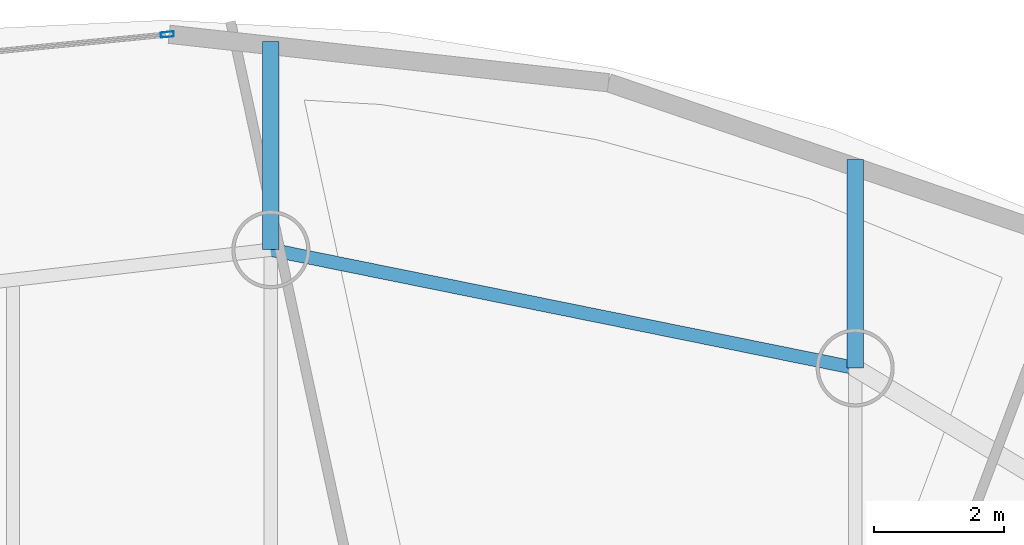
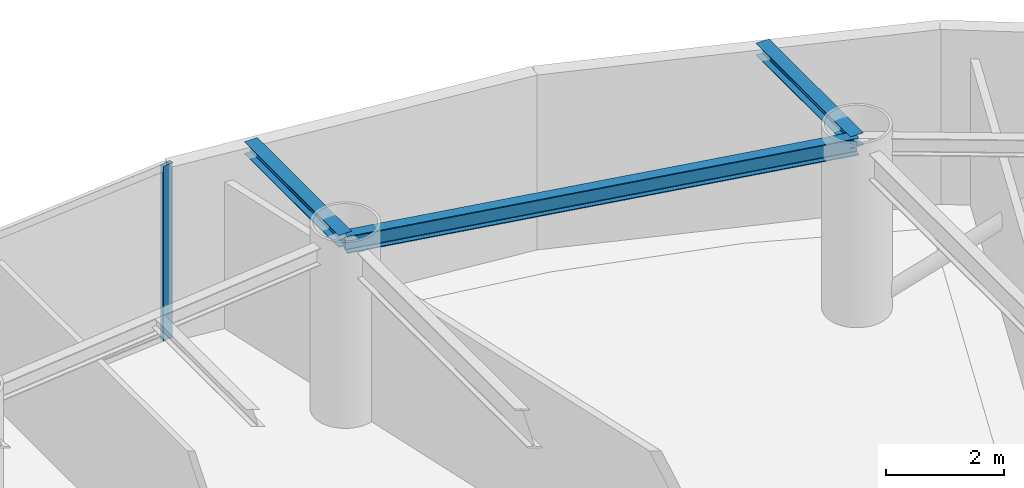
# One storey, part 14 of 23: 3 beams, 1 member, 1 element without a shape of its own.
"""IFC4 building model written with IfcOpenShell, lengths in metres."""

import ifcopenshell
import ifcopenshell.guid

model = None  # the IFC model being written
_history = None  # IfcOwnerHistory: only IFC2X3 demands one
_inside = {}  # id of a spatial element -> (the spatial element, [elements in it])
_under = {}  # id of a project, library or spatial element -> (it, [spatial elements below it])
_declared = {}  # id of a project -> (the project, [libraries it declares])
_typed = {}  # id of a type object -> (the type object, [elements of that type])
_made_of = {}  # id of a material, layer set ... -> (it, [elements and type objects made of it])


def new_model(schema):
    """Start an empty IFC model of exactly this schema.

    Asked for "IFC4X3", IfcOpenShell would pick the latest addendum, in which some entities
    have other attributes; the version numbers below select the first issue.
    IFC2X3 requires an IfcOwnerHistory on every rooted entity: one is made here for all.
    """
    global model, _history
    if schema == "IFC4X3":
        model = ifcopenshell.file(schema_version=(4, 3, 0, 0))
    else:
        model = ifcopenshell.file(schema=schema)
    _inside.clear()
    _under.clear()
    _declared.clear()
    _typed.clear()
    _made_of.clear()
    _history = None
    if model.schema == "IFC2X3":
        org = make("IfcOrganization", Name="unknown")
        user = make(
            "IfcPersonAndOrganization",
            ThePerson=make("IfcPerson", FamilyName="unknown"),
            TheOrganization=org,
        )
        app = make(
            "IfcApplication",
            ApplicationDeveloper=org,
            Version="unknown",
            ApplicationFullName="unknown",
            ApplicationIdentifier="unknown",
        )
        _history = make(
            "IfcOwnerHistory",
            OwningUser=user,
            OwningApplication=app,
            ChangeAction="ADDED",
            CreationDate=0,
        )
    return model


def make(cls, **values):
    """One entity of the class cls with the attributes given. An attribute that is None is left unset."""
    return model.create_entity(
        cls, **{name: value for name, value in values.items() if value is not None}
    )


def rooted(cls, **values):
    """An entity with a GlobalId (a new one), such as an element, a storey or a relation."""
    return make(cls, GlobalId=ifcopenshell.guid.new(), OwnerHistory=_history, **values)


def si_unit(unit_type, name, prefix=None):
    """IfcSIUnit, for example si_unit("LENGTHUNIT", "METRE", prefix="MILLI")."""
    return make("IfcSIUnit", UnitType=unit_type, Prefix=prefix, Name=name)


def assignment(units):
    """IfcUnitAssignment: the units of a project."""
    return None if units is None else make("IfcUnitAssignment", Units=units)


def point(xyz):
    """IfcCartesianPoint."""
    return None if xyz is None else make("IfcCartesianPoint", Coordinates=xyz)


def direction(xyz):
    """IfcDirection."""
    return None if xyz is None else make("IfcDirection", DirectionRatios=xyz)


def frame(location, z_axis=None, x_axis=None):
    """IfcAxis2Placement3D, a coordinate frame: its origin and axes. An axis left out is left unset."""
    return make(
        "IfcAxis2Placement3D",
        Location=point(location),
        Axis=direction(z_axis),
        RefDirection=direction(x_axis),
    )


def frame_2d(location, x_axis=None):
    """IfcAxis2Placement2D, a coordinate frame in the plane: its origin and x axis."""
    return make(
        "IfcAxis2Placement2D", Location=point(location), RefDirection=direction(x_axis)
    )


def origin():
    """The frame at (0, 0, 0) with its axes left unset."""
    return frame((0.0, 0.0, 0.0))


def origin_2d():
    """The frame at (0, 0) in the plane with its x axis left unset."""
    return frame_2d((0.0, 0.0))


def place(relative_to, where):
    """IfcLocalPlacement: puts the frame where relative to a parent placement (None: the world)."""
    return make(
        "IfcLocalPlacement", PlacementRelTo=relative_to, RelativePlacement=where
    )


def context(
    kind, dimensions, precision=None, world=None, true_north=None, identifier=None
):
    """IfcGeometricRepresentationContext, for example the 3D "Model" context."""
    return make(
        "IfcGeometricRepresentationContext",
        ContextIdentifier=identifier,
        ContextType=kind,
        CoordinateSpaceDimension=dimensions,
        Precision=precision,
        WorldCoordinateSystem=world,
        TrueNorth=true_north,
    )


def subcontext(parent, identifier, kind, view, scale=None):
    """IfcGeometricRepresentationSubContext, for example "Body" below "Model"."""
    return make(
        "IfcGeometricRepresentationSubContext",
        ContextIdentifier=identifier,
        ContextType=kind,
        ParentContext=parent,
        TargetScale=scale,
        TargetView=view,
    )


def project(units=None, contexts=None):
    """IfcProject with its units and contexts."""
    return rooted(
        "IfcProject",
        Name="project",
        RepresentationContexts=contexts,
        UnitsInContext=assignment(units),
    )


def spatial(cls, under=None, at=None, **own):
    """A site, building, storey or space (cls), placed at a placement, below another one or the project."""
    s = rooted(cls, ObjectPlacement=at, **own)
    if under is not None:
        _under.setdefault(under.id(), (under, []))[1].append(s)
    return s


def profile(cls, at=None, kind="AREA", **sizes):
    """A parametric profile (cls). Its sizes go by their IFC names, for example OverallWidth=200.0."""
    return make(cls, ProfileType=kind, Position=at, **sizes)


def hollow_rectangle(**sizes):
    """IfcRectangleHollowProfileDef."""
    return profile("IfcRectangleHollowProfileDef", **sizes)


def i_section(**sizes):
    """IfcIShapeProfileDef."""
    return profile("IfcIShapeProfileDef", **sizes)


def extrude(swept, where, along, depth):
    """IfcExtrudedAreaSolid: the profile swept, set in the frame where, extruded along a direction by depth."""
    return make(
        "IfcExtrudedAreaSolid",
        SweptArea=swept,
        Position=where,
        ExtrudedDirection=direction(along),
        Depth=depth,
    )


def shape(context_of_items, identifier, shape_type, items):
    """IfcShapeRepresentation: the items that make up one representation, for example the "Body"."""
    return make(
        "IfcShapeRepresentation",
        ContextOfItems=context_of_items,
        RepresentationIdentifier=identifier,
        RepresentationType=shape_type,
        Items=items,
    )


def material(Name=None, Category=None):
    """IfcMaterial."""
    return make("IfcMaterial", Name=Name, Category=Category)


def layer(
    of_material, thickness, ventilated=None, Name=None, Category=None, Priority=None
):
    """IfcMaterialLayer: one layer of a wall or slab, of a material (None: an air gap)."""
    return make(
        "IfcMaterialLayer",
        Material=of_material,
        LayerThickness=thickness,
        IsVentilated=ventilated,
        Name=Name,
        Category=Category,
        Priority=Priority,
    )


def layer_set(layers, Name=None):
    """IfcMaterialLayerSet."""
    return make("IfcMaterialLayerSet", MaterialLayers=layers, LayerSetName=Name)


def material_profile(
    of_material, cross_section, Name=None, Category=None, Priority=None
):
    """IfcMaterialProfile: a cross section and its material."""
    return make(
        "IfcMaterialProfile",
        Name=Name,
        Material=of_material,
        Profile=cross_section,
        Priority=Priority,
        Category=Category,
    )


def profile_set(profiles, Name=None, composite=None):
    """IfcMaterialProfileSet."""
    return make(
        "IfcMaterialProfileSet",
        Name=Name,
        MaterialProfiles=profiles,
        CompositeProfile=composite,
    )


def made_of(thing, what):
    """Note that an element or type object is made of a material, layer set ...; save() writes the relation."""
    if what is not None:
        _made_of.setdefault(what.id(), (what, []))[1].append(thing)
    return thing


def type_object(cls, material=None, **own):
    """A type object (cls), such as IfcWallType, which elements share."""
    return made_of(rooted(cls, **own), material)


def element(
    cls,
    number,
    at=None,
    inside=None,
    cuts=None,
    type_object=None,
    material=None,
    context=None,
    identifier="Body",
    shape_type=None,
    held_by="IfcProductDefinitionShape",
    body=None,
    shapes=None,
    **own,
):
    """One element of the class cls, such as IfcWall. Its Tag is "e" and its number.

    at: its placement. inside: the storey or other place that contains it. cuts: it is an
    opening in that element (IfcRelVoidsElement). A single representation is given by context,
    identifier, shape_type and body (its items); several are given by shapes. held_by: the class
    of the entity that holds the representations. save() writes the other relations.
    """
    e = rooted(cls, Tag="e%d" % number, ObjectPlacement=at, **own)
    if body is not None:
        shapes = [shape(context, identifier, shape_type, body)]
    if shapes is not None:
        e.Representation = make(held_by, Representations=shapes)
    if inside is not None:
        _inside.setdefault(inside.id(), (inside, []))[1].append(e)
    if cuts is not None:
        rooted(
            "IfcRelVoidsElement", RelatingBuildingElement=cuts, RelatedOpeningElement=e
        )
    if type_object is not None:
        _typed.setdefault(type_object.id(), (type_object, []))[1].append(e)
    return made_of(e, material)


def aggregate(whole, parts):
    """IfcRelAggregates: a whole, such as a stair, and the parts it consists of."""
    return rooted("IfcRelAggregates", RelatingObject=whole, RelatedObjects=parts)


def save(model, path):
    """Write the relations noted so far, then the file.

    IfcRelAggregates (storeys below a building ...), IfcRelContainedInSpatialStructure (elements
    in a storey), IfcRelDefinesByType, IfcRelAssociatesMaterial and IfcRelDeclares: one each for
    every whole, place, type object, material and project.
    """
    for whole, parts in _under.values():
        aggregate(whole, parts)
    for where, things in _inside.values():
        rooted(
            "IfcRelContainedInSpatialStructure",
            RelatedElements=things,
            RelatingStructure=where,
        )
    for kind, things in _typed.values():
        rooted("IfcRelDefinesByType", RelatedObjects=things, RelatingType=kind)
    for what, things in _made_of.values():
        rooted("IfcRelAssociatesMaterial", RelatedObjects=things, RelatingMaterial=what)
    for by, libraries in _declared.values():
        rooted("IfcRelDeclares", RelatingContext=by, RelatedDefinitions=libraries)
    model.write(path)


model = new_model("IFC4")

# Units and contexts
model_context = context("Model", 3, precision=1e-05, world=origin(), true_north=direction((0.0, 1.0)))
body_context = subcontext(model_context, "Body", "Model", "MODEL_VIEW")
ifc_project = project(units=[si_unit("LENGTHUNIT", "METRE"), si_unit("AREAUNIT", "SQUARE_METRE"), si_unit("VOLUMEUNIT", "CUBIC_METRE"), si_unit("PLANEANGLEUNIT", "RADIAN"), si_unit("MASSUNIT", "GRAM", prefix="KILO")], contexts=[model_context])

# Site, building, storey
site_placement = place(None, origin())
site = spatial("IfcSite", under=ifc_project, at=site_placement, CompositionType="ELEMENT")
building_placement = place(site_placement, origin())
building = spatial("IfcBuilding", under=site, at=building_placement, Name="Bramvorn Convention Spire", CompositionType="ELEMENT")
storey_placement = place(building_placement, frame((0.0, 0.0, 194.300048828125)))
storey = spatial("IfcBuildingStorey", under=building, at=storey_placement, Name="L49", CompositionType="ELEMENT", Elevation=194.300048828125)

# Beams
ifc_material_1 = material(Name="Steel CSA G40.21 Grade 350 (350W)", Category="steel")
ifc_material_profile_1 = material_profile(ifc_material_1, i_section(OverallWidth=0.25390625, OverallDepth=0.2529296875, WebThickness=0.008544921875, FlangeThickness=0.01416015625, FilletRadius=0.011962890625, at=origin_2d()))
ifc_profile_set_1 = profile_set([ifc_material_profile_1], Name="Steel CSA G40.21 Grade 350 (350W) - W250X73")
beam_type_1 = type_object("IfcBeamType", Name="BM-W250X73", PredefinedType="BEAM", material=ifc_profile_set_1)
for number, where, z_axis, x_axis, name in (
    (1, (42.38916015625, 44.772216796875, 3.493408203125), (0.0, 1.0, 0.0), (-1.0, 0.0, 0.0), "L49 slab-edge cantilever tip beam MC06"),
    (2, (33.416259765625, 46.58837890625, 3.493408203125), (0.0, 1.0, 0.0), (-1.0, 0.0, 0.0), "L49 slab-edge cantilever tip beam MC07"),
):
    element("IfcBeam", number, at=place(storey_placement, frame(where, z_axis=z_axis, x_axis=x_axis)), inside=storey, type_object=beam_type_1, Name=name, PredefinedType="BEAM", context=body_context, shape_type="SweptSolid", body=[
        extrude(i_section(OverallWidth=0.25390625, OverallDepth=0.2529296875, WebThickness=0.008544921875, FlangeThickness=0.01416015625, FilletRadius=0.011962890625, at=origin_2d()), origin(), (0.0, 0.0, 1.0), 3.199951171875),
    ])
ifc_material_profile_2 = material_profile(ifc_material_1, i_section(OverallWidth=0.205078125, OverallDepth=0.35400390625, WebThickness=0.009521484375, FlangeThickness=0.016845703125, FilletRadius=0.014892578125, at=origin_2d()))
ifc_profile_set_2 = profile_set([ifc_material_profile_2], Name="Steel CSA G40.21 Grade 350 (350W) - W360X79")
beam_type_2 = type_object("IfcBeamType", Name="BM-W360X79", PredefinedType="JOIST", material=ifc_profile_set_2)
beam_placement = place(storey_placement, frame((42.38916015625, 44.772216796875, 3.44287109375), z_axis=(-0.980124701676, 0.198382381187, 0.0), x_axis=(-0.198382381187, -0.980124701676, 0.0)))
element("IfcBeam", 3, at=beam_placement, inside=storey, type_object=beam_type_2, Name="L49 mega-column ring beam 06", PredefinedType="JOIST", context=body_context, shape_type="SweptSolid", body=[
    extrude(i_section(OverallWidth=0.205078125, OverallDepth=0.35400390625, WebThickness=0.009521484375, FlangeThickness=0.016845703125, FilletRadius=0.014892578125, at=origin_2d()), origin(), (0.0, 0.0, 1.0), 9.15478515625),
])

# Curtain wall, member
ifc_material_2 = material(Name="Anodised Bronze Unitised Curtain Wall", Category="aluminium")
ifc_layer = layer(ifc_material_2, 0.179931640625)
ifc_layer_set = layer_set([ifc_layer], Name="Anodised Bronze Unitised Curtain Wall - CW-OFF-FRIT")
curtain_wall_type = type_object("IfcCurtainWallType", Name="CW-OFF-FRIT", PredefinedType="USERDEFINED", material=ifc_layer_set)
curtain_wall_placement = place(storey_placement, origin())
curtain_wall = element("IfcCurtainWall", 4, at=curtain_wall_placement, inside=storey, type_object=curtain_wall_type, Name="L49 fritted glass curtain wall 10", ObjectType="UNITISED CURTAIN WALL", PredefinedType="USERDEFINED")
ifc_material_3 = material(Name="Anodised Bronze Aluminium 6063-T6", Category="aluminium")
ifc_material_profile_3 = material_profile(ifc_material_3, hollow_rectangle(XDim=0.080078125, YDim=0.199951171875, WallThickness=0.00390625, InnerFilletRadius=0.0009765625, OuterFilletRadius=0.00390625, at=origin_2d()))
ifc_profile_set_3 = profile_set([ifc_material_profile_3], Name="Anodised Bronze Aluminium 6063-T6 - CWM80X200")
member_type = type_object("IfcMemberType", Name="CW-MUL-180", PredefinedType="MULLION", material=ifc_profile_set_3)
member_placement = place(storey_placement, frame((31.826171875, 49.8935546875, 0.0), z_axis=(0.0, 0.0, 1.0), x_axis=(-0.098099490805, 0.995176612418, 0.0)))
member = element("IfcMember", 5, at=member_placement, type_object=member_type, Name="CW3 mullion 2", PredefinedType="MULLION", context=body_context, shape_type="SweptSolid", body=[
    extrude(hollow_rectangle(XDim=0.080078125, YDim=0.199951171875, WallThickness=0.00390625, InnerFilletRadius=0.0009765625, OuterFilletRadius=0.00390625, at=origin_2d()), origin(), (0.0, 0.0, 1.0), 3.619873046875),
])
aggregate(curtain_wall, [member])

save(model, "model.ifc")
